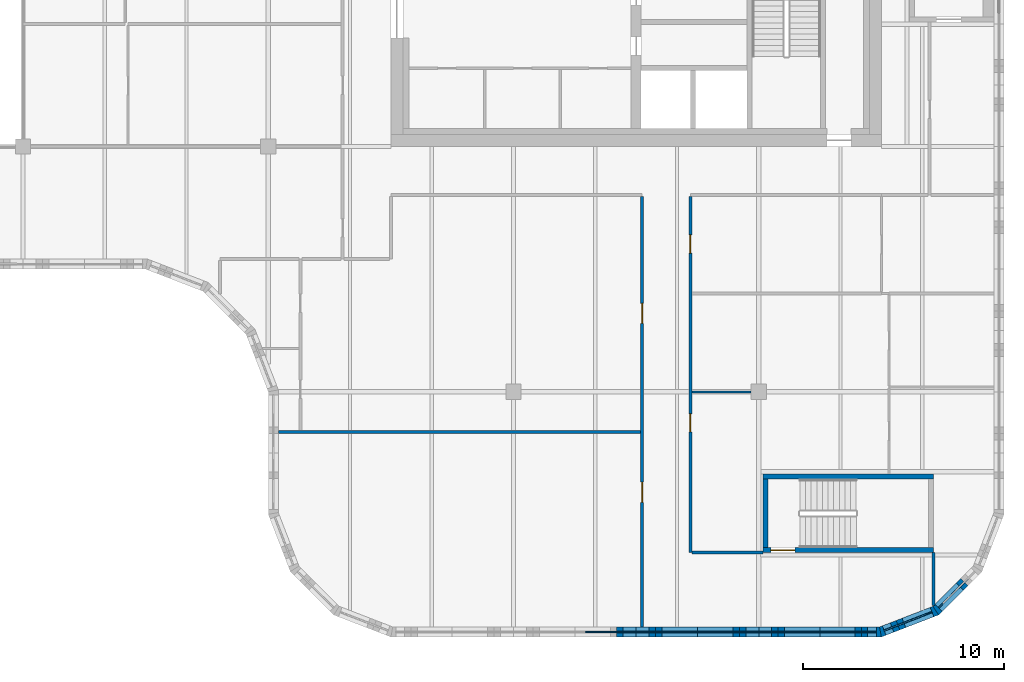
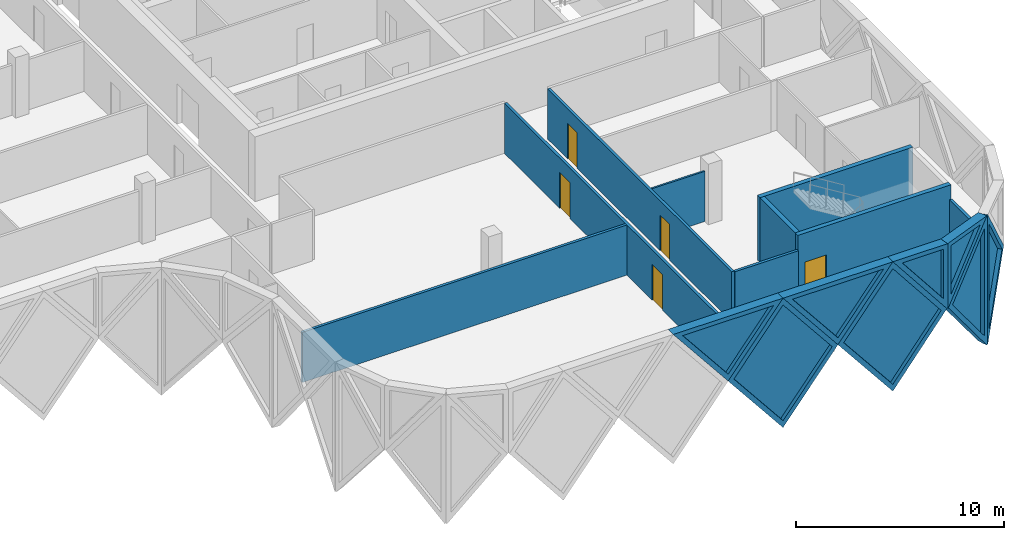
# One storey, part 6 of 15: 17 walls, 8 plates, 5 doors, 13 openings.
"""IFC4 building model written with IfcOpenShell, lengths in metres."""

from ifc_helpers import new_model, si_unit, direction, frame, frame_2d, origin, place, context, subcontext, project, spatial, polyline, rectangle, outline, extrude, faceted_brep, source, transform, mapped, material, layer, layer_set, type_object, element, fill, save


model = new_model("IFC4")

# Units and contexts
model_context = context("Model", 3, precision=1e-05, world=origin(), true_north=direction((0.0, 1.0)))
body_context = subcontext(model_context, "Body", "Model", "MODEL_VIEW")
ifc_project = project(units=[si_unit("LENGTHUNIT", "METRE"), si_unit("AREAUNIT", "SQUARE_METRE"), si_unit("VOLUMEUNIT", "CUBIC_METRE"), si_unit("PLANEANGLEUNIT", "RADIAN"), si_unit("MASSUNIT", "GRAM", prefix="KILO")], contexts=[model_context])

# Site, building, storey
site_placement = place(None, origin())
site = spatial("IfcSite", under=ifc_project, at=site_placement, CompositionType="ELEMENT")
building_placement = place(site_placement, origin())
building = spatial("IfcBuilding", under=site, at=building_placement, Name="Tessera Gate Towers", CompositionType="ELEMENT")
storey_placement = place(building_placement, frame((0.0, 0.0, 189.60009765625)))
storey = spatial("IfcBuildingStorey", under=building, at=storey_placement, Name="L47", CompositionType="ELEMENT", Elevation=189.60009765625)

# Wall, opening, door
ifc_material_1 = material(Name="Concrete C40/50", Category="concrete")
ifc_layer_1 = layer(ifc_material_1, 0.25)
ifc_layer_set_1 = layer_set([ifc_layer_1], Name="CORE ENCLOSURE WALL 250")
wall_type_1 = type_object("IfcWallType", Name="CORE ENCLOSURE WALL 250", PredefinedType="SOLIDWALL", material=ifc_layer_set_1)
wall_1_placement = place(storey_placement, frame((57.5, 4.324951171875, 0.0), z_axis=(0.0, 0.0, 1.0), x_axis=(-1.0, 0.0, 0.0)))
wall_1 = element("IfcWall", 1, at=wall_1_placement, inside=storey, type_object=wall_type_1, Name="L47 ST4 enclosure wall", PredefinedType="SOLIDWALL", context=body_context, shape_type="SweptSolid", body=[
    extrude(rectangle(XDim=8.5, YDim=0.25, at=frame_2d((4.25, 0.0))), origin(), (0.0, 0.0, 1.0), 3.7998046875),
])
shared_shape_1 = source(origin(), body_context, "Body", "SweptSolid", [
    extrude(rectangle(XDim=1.199951171875, YDim=2.10009765625, at=frame_2d((0.60009765625, 1.050048828125))), frame((0.0, 0.135009765625, 0.0), z_axis=(0.0, -1.0, 0.0), x_axis=(1.0, 0.0, 0.0)), (0.0, 0.0, 1.0), 0.27001953125),
])
opening_1_placement = place(wall_1_placement, frame((6.89990234375, 0.0, 0.0)))
opening_1 = element("IfcOpeningElement", 2, at=opening_1_placement, cuts=wall_1, Name="Opening SD-ST4-1", PredefinedType="OPENING", context=body_context, shape_type="MappedRepresentation", body=[
    mapped(shared_shape_1, transform((0.0, 0.0, 0.0), scale=1.0)),
])
ifc_material_2 = material(Name="Hollow steel fire door", Category="steel")
door_type_1 = type_object("IfcDoorType", Name="CORE DOOR SD 1200x2100", OperationType="NOTDEFINED", PredefinedType="DOOR", material=ifc_material_2)
shared_shape_2 = source(origin(), body_context, "Body", "SweptSolid", [
    extrude(rectangle(XDim=1.199951171875, YDim=2.10009765625, at=frame_2d((0.60009765625, 1.050048828125))), frame((0.0, 0.02490234375, 0.0), z_axis=(0.0, -1.0, 0.0), x_axis=(1.0, 0.0, 0.0)), (0.0, 0.0, 1.0), 0.050048828125),
])
door_1_placement = place(opening_1_placement, origin())
door_1 = element("IfcDoor", 3, at=door_1_placement, inside=storey, type_object=door_type_1, Name="Stair door", OperationType="SINGLE_SWING_RIGHT", OverallHeight=2.10009765625, OverallWidth=1.199951171875, PredefinedType="DOOR", context=body_context, shape_type="MappedRepresentation", body=[
    mapped(shared_shape_2, transform((0.0, 0.0, 0.0), scale=1.0)),
])
fill(opening_1, door_1)

# Walls
wall_2_placement = place(storey_placement, frame((49.125, 4.449951171875, 0.0), z_axis=(0.0, 0.0, 1.0), x_axis=(0.0, 1.0, 0.0)))
element("IfcWall", 4, at=wall_2_placement, inside=storey, type_object=wall_type_1, Name="L47 ST4 enclosure wall", PredefinedType="SOLIDWALL", context=body_context, shape_type="SweptSolid", body=[
    extrude(rectangle(XDim=3.400146484375, YDim=0.25, at=frame_2d((1.7001953125, 0.0))), origin(), (0.0, 0.0, 1.0), 3.7998046875),
])
wall_3_placement = place(storey_placement, frame((49.0, 7.97509765625, 0.0), z_axis=(0.0, 0.0, 1.0), x_axis=(1.0, 0.0, 0.0)))
element("IfcWall", 5, at=wall_3_placement, inside=storey, type_object=wall_type_1, Name="L47 ST4 enclosure wall", PredefinedType="SOLIDWALL", context=body_context, shape_type="SweptSolid", body=[
    extrude(rectangle(XDim=8.5, YDim=0.25, at=frame_2d((4.25, 0.0))), origin(), (0.0, 0.0, 1.0), 3.7998046875),
])

# Wall, openings, doors
ifc_material_3 = material(Name="Gypsum board on steel studs, mineral wool", Category="steel")
ifc_layer_2 = layer(ifc_material_3, 0.14990234375)
ifc_layer_set_2 = layer_set([ifc_layer_2], Name="CORRIDOR WALL 150")
wall_type_2 = type_object("IfcWallType", Name="CORRIDOR WALL 150", PredefinedType="PARTITIONING", material=ifc_layer_set_2)
wall_4_placement = place(storey_placement, frame((43.0, 0.5, 0.0), z_axis=(0.0, 0.0, 1.0), x_axis=(0.0, 1.0, 0.0)))
wall_4 = element("IfcWall", 6, at=wall_4_placement, inside=storey, type_object=wall_type_2, Name="T1-L47-PW-001", PredefinedType="PARTITIONING", context=body_context, shape_type="SweptSolid", body=[
    extrude(rectangle(XDim=21.424072265625, YDim=0.14990234375, at=frame_2d((10.7119140625, 0.0))), origin(), (0.0, 0.0, 1.0), 2.947021484375),
])
shared_shape_3 = source(origin(), body_context, "Body", "SweptSolid", [
    extrude(rectangle(XDim=1.0, YDim=2.10009765625, at=frame_2d((0.5, 1.050048828125))), frame((0.0, 0.0849609375, 0.0), z_axis=(0.0, -1.0, 0.0), x_axis=(1.0, 0.0, 0.0)), (0.0, 0.0, 1.0), 0.169921875),
])
opening_2_placement = place(wall_4_placement, frame((6.199951171875, 0.0, 0.0)))
opening_2 = element("IfcOpeningElement", 7, at=opening_2_placement, cuts=wall_4, Name="Opening D2100FD60-A17-01", PredefinedType="OPENING", context=body_context, shape_type="MappedRepresentation", body=[
    mapped(shared_shape_3, transform((0.0, 0.0, 0.0), scale=1.0)),
])
opening_3_placement = place(wall_4_placement, frame((15.10009765625, 0.0, 0.0)))
opening_3 = element("IfcOpeningElement", 8, at=opening_3_placement, cuts=wall_4, Name="Opening D2100FD60-A17-03", PredefinedType="OPENING", context=body_context, shape_type="MappedRepresentation", body=[
    mapped(shared_shape_3, transform((0.0, 0.0, 0.0), scale=1.0)),
])
ifc_material_4 = material(Name="Timber door leaf in steel frame", Category="steel")
door_type_2 = type_object("IfcDoorType", Name="TENANCY ENTRANCE DOOR 1000 FD60", OperationType="NOTDEFINED", PredefinedType="DOOR", material=ifc_material_4)
shared_shape_4 = source(origin(), body_context, "Body", "SweptSolid", [
    extrude(rectangle(XDim=1.0, YDim=2.10009765625, at=frame_2d((0.5, 1.050048828125))), frame((0.0, 0.02490234375, 0.0), z_axis=(0.0, -1.0, 0.0), x_axis=(1.0, 0.0, 0.0)), (0.0, 0.0, 1.0), 0.050048828125),
])
door_2_placement = place(opening_2_placement, origin())
door_2 = element("IfcDoor", 9, at=door_2_placement, inside=storey, type_object=door_type_2, Name="T1-L47-PD-014", OperationType="SINGLE_SWING_LEFT", OverallHeight=2.10009765625, OverallWidth=1.0, PredefinedType="DOOR", context=body_context, shape_type="MappedRepresentation", body=[
    mapped(shared_shape_4, transform((0.0, 0.0, 0.0), scale=1.0)),
])
fill(opening_2, door_2)
door_3_placement = place(opening_3_placement, origin())
door_3 = element("IfcDoor", 10, at=door_3_placement, inside=storey, type_object=door_type_2, Name="T1-L47-PD-023", OperationType="SINGLE_SWING_LEFT", OverallHeight=2.10009765625, OverallWidth=1.0, PredefinedType="DOOR", context=body_context, shape_type="MappedRepresentation", body=[
    mapped(shared_shape_4, transform((0.0, 0.0, 0.0), scale=1.0)),
])
fill(opening_3, door_3)

# Wall
wall_5_placement = place(storey_placement, frame((57.5, 1.55908203125, 0.0), z_axis=(0.0, 0.0, 1.0), x_axis=(0.0, 1.0, 0.0)))
element("IfcWall", 11, at=wall_5_placement, inside=storey, type_object=wall_type_2, Name="T1-L47-PW-002", PredefinedType="PARTITIONING", context=body_context, shape_type="SweptSolid", body=[
    extrude(rectangle(XDim=2.640869140625, YDim=0.14990234375, at=frame_2d((1.3203125, 0.0))), origin(), (0.0, 0.0, 1.0), 2.947021484375),
])

# Wall, openings, doors
wall_6_placement = place(storey_placement, frame((45.39990234375, 21.924072265625, 0.0), z_axis=(0.0, 0.0, 1.0), x_axis=(0.0, -1.0, 0.0)))
wall_6 = element("IfcWall", 12, at=wall_6_placement, inside=storey, type_object=wall_type_2, Name="T1-L47-PW-003", PredefinedType="PARTITIONING", context=body_context, shape_type="SweptSolid", body=[
    extrude(rectangle(XDim=17.72412109375, YDim=0.14990234375, at=frame_2d((8.862060546875, 0.0))), origin(), (0.0, 0.0, 1.0), 2.947021484375),
])
shared_shape_5 = source(origin(), body_context, "Body", "SweptSolid", [
    extrude(rectangle(XDim=0.89990234375, YDim=2.10009765625, at=frame_2d((0.449951171875, 1.050048828125))), frame((0.0, 0.0849609375, 0.0), z_axis=(0.0, -1.0, 0.0), x_axis=(1.0, 0.0, 0.0)), (0.0, 0.0, 1.0), 0.169921875),
])
opening_4_placement = place(wall_6_placement, frame((1.923095703125, 0.0, 0.0)))
opening_4 = element("IfcOpeningElement", 13, at=opening_4_placement, cuts=wall_6, Name="Opening D890FD60-A17-02", PredefinedType="OPENING", context=body_context, shape_type="MappedRepresentation", body=[
    mapped(shared_shape_5, transform((0.0, 0.0, 0.0), scale=1.0)),
])
opening_5_placement = place(wall_6_placement, frame((10.823974609375, 0.0, 0.0)))
opening_5 = element("IfcOpeningElement", 14, at=opening_5_placement, cuts=wall_6, Name="Opening D890FD60-A17-07", PredefinedType="OPENING", context=body_context, shape_type="MappedRepresentation", body=[
    mapped(shared_shape_5, transform((0.0, 0.0, 0.0), scale=1.0)),
])
ifc_material_5 = material(Name="Timber door leaf in steel frame", Category="steel")
door_type_3 = type_object("IfcDoorType", Name="CORRIDOR DOOR 900 FD60", OperationType="NOTDEFINED", PredefinedType="DOOR", material=ifc_material_5)
shared_shape_6 = source(origin(), body_context, "Body", "SweptSolid", [
    extrude(rectangle(XDim=0.89990234375, YDim=2.10009765625, at=frame_2d((0.449951171875, 1.050048828125))), frame((0.0, 0.02490234375, 0.0), z_axis=(0.0, -1.0, 0.0), x_axis=(1.0, 0.0, 0.0)), (0.0, 0.0, 1.0), 0.050048828125),
])
door_4_placement = place(opening_4_placement, origin())
door_4 = element("IfcDoor", 15, at=door_4_placement, inside=storey, type_object=door_type_3, Name="T1-L47-PD-009", OperationType="SINGLE_SWING_RIGHT", OverallHeight=2.10009765625, OverallWidth=0.89990234375, PredefinedType="DOOR", context=body_context, shape_type="MappedRepresentation", body=[
    mapped(shared_shape_6, transform((0.0, 0.0, 0.0), scale=1.0)),
])
fill(opening_4, door_4)
door_5_placement = place(opening_5_placement, origin())
door_5 = element("IfcDoor", 16, at=door_5_placement, inside=storey, type_object=door_type_3, Name="T1-L47-PD-025", OperationType="SINGLE_SWING_RIGHT", OverallHeight=2.10009765625, OverallWidth=0.89990234375, PredefinedType="DOOR", context=body_context, shape_type="MappedRepresentation", body=[
    mapped(shared_shape_6, transform((0.0, 0.0, 0.0), scale=1.0)),
])
fill(opening_5, door_5)

# Walls
wall_7_placement = place(storey_placement, frame((45.47607421875, 4.199951171875, 0.0), z_axis=(0.0, 0.0, 1.0), x_axis=(1.0, 0.0, 0.0)))
element("IfcWall", 17, at=wall_7_placement, inside=storey, type_object=wall_type_2, Name="T1-L47-PW-004", PredefinedType="PARTITIONING", context=body_context, shape_type="SweptSolid", body=[
    extrude(rectangle(XDim=3.52392578125, YDim=0.14990234375, at=frame_2d((1.761962890625, 0.0))), origin(), (0.0, 0.0, 1.0), 2.947021484375),
])
ifc_material_6 = material(Name="Gypsum board on steel studs", Category="steel")
ifc_layer_3 = layer(ifc_material_6, 0.10009765625)
ifc_layer_set_3 = layer_set([ifc_layer_3], Name="PARTITION 100")
wall_type_3 = type_object("IfcWallType", Name="PARTITION 100", PredefinedType="PARTITIONING", material=ifc_layer_set_3)
wall_8_placement = place(storey_placement, frame((48.425048828125, 12.199951171875, 0.0), z_axis=(0.0, 0.0, 1.0), x_axis=(-1.0, 0.0, 0.0)))
element("IfcWall", 18, at=wall_8_placement, inside=storey, type_object=wall_type_3, Name="T1-L47-PW-008", PredefinedType="PARTITIONING", context=body_context, shape_type="SweptSolid", body=[
    extrude(rectangle(XDim=2.949951171875, YDim=0.10009765625, at=frame_2d((1.47509765625, 0.0))), origin(), (0.0, 0.0, 1.0), 2.947021484375),
])
ifc_material_7 = material(Name="Gypsum board on steel studs, mineral wool", Category="steel")
ifc_layer_4 = layer(ifc_material_7, 0.14990234375)
ifc_layer_set_4 = layer_set([ifc_layer_4], Name="TENANCY WALL 150")
wall_type_4 = type_object("IfcWallType", Name="TENANCY WALL 150", PredefinedType="PARTITIONING", material=ifc_layer_set_4)
wall_9_placement = place(storey_placement, frame((24.89990234375, 10.199951171875, 0.0), z_axis=(0.0, 0.0, 1.0), x_axis=(1.0, 0.0, 0.0)))
element("IfcWall", 19, at=wall_9_placement, inside=storey, type_object=wall_type_4, Name="T1-L47-PW-006", PredefinedType="PARTITIONING", context=body_context, shape_type="SweptSolid", body=[
    extrude(rectangle(XDim=18.024169921875, YDim=0.14990234375, at=frame_2d((9.01220703125, 0.0))), origin(), (0.0, 0.0, 1.0), 2.947021484375),
])

# Wall, opening, plate
ifc_material_8 = material(Name="Precast concrete C60/75 white", Category="concrete")
ifc_layer_5 = layer(ifc_material_8, 0.5)
ifc_layer_set_5 = layer_set([ifc_layer_5], Name="TS1 tessera")
wall_type_5 = type_object("IfcWallType", Name="TS1 tessera", PredefinedType="SOLIDWALL", material=ifc_layer_set_5)
shared_shape_7 = source(origin(), body_context, "Body", "SweptSolid", [
    extrude(outline(polyline([(3.050048828125, 0.0), (6.10009765625, 3.800048828125), (3.050048828125, 7.599853515625), (0.0, 3.800048828125), (3.050048828125, 0.0)])), frame((0.0, 0.25, 0.0), z_axis=(0.0, -1.0, 0.0), x_axis=(1.0, 0.0, 0.0)), (0.0, 0.0, 1.0), 0.5),
])
wall_10_placement = place(storey_placement, frame((42.699951171875, 0.25, -3.800048828125), z_axis=(0.0, 0.0, 1.0), x_axis=(1.0, 0.0, 0.0)))
wall_10 = element("IfcWall", 20, at=wall_10_placement, inside=storey, type_object=wall_type_5, Name="Precast tessera T1 TS1-0830", PredefinedType="SOLIDWALL", context=body_context, shape_type="MappedRepresentation", body=[
    mapped(shared_shape_7, transform((0.0, 0.0, 0.0), scale=1.0)),
])
shared_shape_8 = source(origin(), body_context, "Body", "SweptSolid", [
    extrude(outline(polyline([(3.050048828125, 0.3994140625), (5.779541015625, 3.800048828125), (3.050048828125, 7.200439453125), (0.320556640625, 3.800048828125), (3.050048828125, 0.3994140625)])), frame((0.0, 0.260009765625, 0.0), z_axis=(0.0, -1.0, 0.0), x_axis=(1.0, 0.0, 0.0)), (0.0, 0.0, 1.0), 0.52001953125),
])
opening_6_placement = place(wall_10_placement, origin())
opening_6 = element("IfcOpeningElement", 21, at=opening_6_placement, cuts=wall_10, Name="Opening T1-PL2-1694", PredefinedType="OPENING", context=body_context, shape_type="MappedRepresentation", body=[
    mapped(shared_shape_8, transform((0.0, 0.0, 0.0), scale=1.0)),
])
ifc_material_9 = material(Name="Low-e laminated glass", Category="glass")
ifc_layer_6 = layer(ifc_material_9, 0.06005859375)
ifc_layer_set_6 = layer_set([ifc_layer_6], Name="PL2 rhombic pane")
plate_type_1 = type_object("IfcPlateType", Name="PL2 rhombic pane", PredefinedType="SHEET", material=ifc_layer_set_6)
shared_shape_9 = source(origin(), body_context, "Body", "SweptSolid", [
    extrude(outline(polyline([(3.050048828125, 0.3994140625), (5.779541015625, 3.800048828125), (3.050048828125, 7.200439453125), (0.320556640625, 3.800048828125), (3.050048828125, 0.3994140625)])), frame((0.0, 0.030029296875, 0.0), z_axis=(0.0, -1.0, 0.0), x_axis=(1.0, 0.0, 0.0)), (0.0, 0.0, 1.0), 0.06005859375),
])
plate_1_placement = place(opening_6_placement, origin())
plate_1 = element("IfcPlate", 22, at=plate_1_placement, inside=storey, type_object=plate_type_1, Name="Glass pane T1 PL2-1694", PredefinedType="SHEET", context=body_context, shape_type="MappedRepresentation", body=[
    mapped(shared_shape_9, transform((0.0, 0.0, 0.0), scale=1.0)),
])
fill(opening_6, plate_1)

shared_shape_10 = source(origin(), body_context, "Body", "Brep", [
    faceted_brep([(3.050048828125, -0.25, 0.0), (6.053466796875, -0.25, 3.800048828125), (3.050048828125, -0.25, 7.599853515625), (0.0, -0.25, 3.800048828125), (0.0, 0.25, 3.800048828125), (3.050048828125, 0.25, 7.599853515625), (6.0068359375, 0.25, 3.85888671875), (6.0068359375, 0.25, 3.7412109375), (3.050048828125, 0.25, 0.0), (6.053466796875, 0.0, 3.800048828125)], [[[0, 1, 2, 3]], [[4, 5, 6, 7, 8]], [[8, 7, 9, 1, 0]], [[6, 5, 2, 1, 9]], [[5, 4, 3, 2]], [[4, 8, 0, 3]], [[7, 6, 9]]]),
])
wall_11_placement = place(storey_placement, frame((48.800048828125, 0.25, -3.800048828125), z_axis=(0.0, 0.0, 1.0), x_axis=(1.0, 0.0, 0.0)))
wall_11 = element("IfcWall", 23, at=wall_11_placement, inside=storey, type_object=wall_type_5, Name="Precast tessera T1 TS1-0831", PredefinedType="SOLIDWALL", context=body_context, shape_type="MappedRepresentation", body=[
    mapped(shared_shape_10, transform((0.0, 0.0, 0.0), scale=1.0)),
])
shared_shape_11 = source(origin(), body_context, "Body", "SweptSolid", [
    extrude(outline(polyline([(3.048583984375, 0.401123046875), (5.73486328125, 3.800048828125), (3.048583984375, 7.19873046875), (0.320556640625, 3.800048828125), (3.048583984375, 0.401123046875)])), frame((0.0, 0.260009765625, 0.0), z_axis=(0.0, -1.0, 0.0), x_axis=(1.0, 0.0, 0.0)), (0.0, 0.0, 1.0), 0.52001953125),
])
opening_7_placement = place(wall_11_placement, origin())
opening_7 = element("IfcOpeningElement", 24, at=opening_7_placement, cuts=wall_11, Name="Opening T1-PL2-1695", PredefinedType="OPENING", context=body_context, shape_type="MappedRepresentation", body=[
    mapped(shared_shape_11, transform((0.0, 0.0, 0.0), scale=1.0)),
])
shared_shape_12 = source(origin(), body_context, "Body", "SweptSolid", [
    extrude(outline(polyline([(3.048583984375, 0.401123046875), (5.73486328125, 3.800048828125), (3.048583984375, 7.19873046875), (0.320556640625, 3.800048828125), (3.048583984375, 0.401123046875)])), frame((0.0, 0.030029296875, 0.0), z_axis=(0.0, -1.0, 0.0), x_axis=(1.0, 0.0, 0.0)), (0.0, 0.0, 1.0), 0.06005859375),
])
plate_2_placement = place(opening_7_placement, origin())
plate_2 = element("IfcPlate", 25, at=plate_2_placement, inside=storey, type_object=plate_type_1, Name="Glass pane T1 PL2-1695", PredefinedType="SHEET", context=body_context, shape_type="MappedRepresentation", body=[
    mapped(shared_shape_12, transform((0.0, 0.0, 0.0), scale=1.0)),
])
fill(opening_7, plate_2)

ifc_material_10 = material(Name="Precast concrete C60/75 white", Category="concrete")
ifc_layer_7 = layer(ifc_material_10, 0.5)
ifc_layer_set_7 = layer_set([ifc_layer_7], Name="TS3 corner tessera")
wall_type_6 = type_object("IfcWallType", Name="TS3 corner tessera", PredefinedType="SOLIDWALL", material=ifc_layer_set_7)
shared_shape_13 = source(origin(), body_context, "Body", "Brep", [
    faceted_brep([(2.950439453125, -0.25, 0.0), (3.00341796875, -0.25, 0.068359375), (3.00341796875, -0.25, 7.531494140625), (2.950439453125, -0.25, 7.599853515625), (0.0, -0.25, 3.800048828125), (0.046630859375, 0.25, 3.860107421875), (2.897705078125, 0.25, 7.53173828125), (2.897705078125, 0.25, 0.068115234375), (0.046630859375, 0.25, 3.739990234375), (2.950439453125, 0.00048828125, 0.0), (2.950439453125, 0.00048828125, 7.599853515625), (0.0, 0.0, 3.800048828125)], [[[0, 1, 2, 3, 4]], [[5, 6, 7, 8]], [[1, 0, 9]], [[10, 3, 2]], [[6, 5, 11, 4, 3, 10]], [[8, 7, 9, 0, 4, 11]], [[8, 11, 5]], [[1, 9, 7, 6, 10, 2]]]),
])
wall_12_placement = place(storey_placement, frame((54.853515625, 0.25, -3.800048828125), z_axis=(0.0, 0.0, 1.0), x_axis=(0.932970071518, 0.359953949349, 0.0)))
wall_12 = element("IfcWall", 26, at=wall_12_placement, inside=storey, type_object=wall_type_6, Name="Precast corner tessera T1 TS3-1081", PredefinedType="SOLIDWALL", context=body_context, shape_type="MappedRepresentation", body=[
    mapped(shared_shape_13, transform((0.0, 0.0, 0.0), scale=1.0)),
])
shared_shape_14 = source(origin(), body_context, "Body", "SweptSolid", [
    extrude(outline(polyline([(2.75048828125, 6.934814453125), (0.31640625, 3.800048828125), (2.75048828125, 0.665283203125), (2.75048828125, 6.934814453125)])), frame((0.0, 0.260009765625, 0.0), z_axis=(0.0, -1.0, 0.0), x_axis=(1.0, 0.0, 0.0)), (0.0, 0.0, 1.0), 0.52001953125),
])
opening_8_placement = place(wall_12_placement, origin())
opening_8 = element("IfcOpeningElement", 27, at=opening_8_placement, cuts=wall_12, Name="Opening T1-PL2-1696", PredefinedType="OPENING", context=body_context, shape_type="MappedRepresentation", body=[
    mapped(shared_shape_14, transform((0.0, 0.0, 0.0), scale=1.0)),
])
shared_shape_15 = source(origin(), body_context, "Body", "SweptSolid", [
    extrude(outline(polyline([(2.75048828125, 6.934814453125), (0.31640625, 3.800048828125), (2.75048828125, 0.665283203125), (2.75048828125, 6.934814453125)])), frame((0.0, 0.030029296875, 0.0), z_axis=(0.0, -1.0, 0.0), x_axis=(1.0, 0.0, 0.0)), (0.0, 0.0, 1.0), 0.06005859375),
])
plate_3_placement = place(opening_8_placement, origin())
plate_3 = element("IfcPlate", 28, at=plate_3_placement, inside=storey, type_object=plate_type_1, Name="Glass pane T1 PL2-1696", PredefinedType="SHEET", context=body_context, shape_type="MappedRepresentation", body=[
    mapped(shared_shape_15, transform((0.0, 0.0, 0.0), scale=1.0)),
])
fill(opening_8, plate_3)

shared_shape_16 = source(origin(), body_context, "Body", "Brep", [
    faceted_brep([(0.052978515625, -0.25, 0.0), (2.9970703125, -0.25, 3.800048828125), (0.052978515625, -0.25, 7.599853515625), (0.0, -0.25, 7.53173828125), (0.0, -0.25, 0.068115234375), (0.10595703125, 0.25, 7.531494140625), (2.944091796875, 0.25, 3.8681640625), (2.944091796875, 0.25, 3.73193359375), (0.10595703125, 0.25, 0.068359375), (2.9970703125, 0.000244140625, 3.800048828125), (0.052978515625, 0.0, 0.0), (0.052978515625, 0.0, 7.599853515625)], [[[0, 1, 2, 3, 4]], [[5, 6, 7, 8]], [[8, 7, 9, 1, 0, 10]], [[6, 5, 11, 2, 1, 9]], [[3, 2, 11]], [[10, 0, 4]], [[8, 10, 4, 3, 11, 5]], [[7, 6, 9]]]),
])
wall_13_placement = place(storey_placement, frame((57.56884765625, 1.2744140625, -3.800048828125), z_axis=(0.0, 0.0, 1.0), x_axis=(0.707066050402, 0.707147509625, 0.0)))
wall_13 = element("IfcWall", 29, at=wall_13_placement, inside=storey, type_object=wall_type_6, Name="Precast corner tessera T1 TS3-1082", PredefinedType="SOLIDWALL", context=body_context, shape_type="MappedRepresentation", body=[
    mapped(shared_shape_16, transform((0.0, 0.0, 0.0), scale=1.0)),
])
shared_shape_17 = source(origin(), body_context, "Body", "SweptSolid", [
    extrude(outline(polyline([(0.2529296875, 0.666259765625), (2.680908203125, 3.800048828125), (0.2529296875, 6.93359375), (0.2529296875, 0.666259765625)])), frame((0.0, 0.260009765625, 0.0), z_axis=(0.0, -1.0, 0.0), x_axis=(1.0, 0.0, 0.0)), (0.0, 0.0, 1.0), 0.52001953125),
])
opening_9_placement = place(wall_13_placement, origin())
opening_9 = element("IfcOpeningElement", 30, at=opening_9_placement, cuts=wall_13, Name="Opening T1-PL2-1697", PredefinedType="OPENING", context=body_context, shape_type="MappedRepresentation", body=[
    mapped(shared_shape_17, transform((0.0, 0.0, 0.0), scale=1.0)),
])
shared_shape_18 = source(origin(), body_context, "Body", "SweptSolid", [
    extrude(outline(polyline([(0.2529296875, 0.666259765625), (2.680908203125, 3.800048828125), (0.2529296875, 6.93359375), (0.2529296875, 0.666259765625)])), frame((0.0, 0.030029296875, 0.0), z_axis=(0.0, -1.0, 0.0), x_axis=(1.0, 0.0, 0.0)), (0.0, 0.0, 1.0), 0.06005859375),
])
plate_4_placement = place(opening_9_placement, origin())
plate_4 = element("IfcPlate", 31, at=plate_4_placement, inside=storey, type_object=plate_type_1, Name="Glass pane T1 PL2-1697", PredefinedType="SHEET", context=body_context, shape_type="MappedRepresentation", body=[
    mapped(shared_shape_18, transform((0.0, 0.0, 0.0), scale=1.0)),
])
fill(opening_9, plate_4)

ifc_material_11 = material(Name="Precast concrete C60/75 white", Category="concrete")
ifc_layer_8 = layer(ifc_material_11, 0.5)
ifc_layer_set_8 = layer_set([ifc_layer_8], Name="TS2 half tessera")
wall_type_7 = type_object("IfcWallType", Name="TS2 half tessera", PredefinedType="SOLIDWALL", material=ifc_layer_set_8)
shared_shape_19 = source(origin(), body_context, "Body", "SweptSolid", [
    extrude(outline(polyline([(3.050048828125, 0.0), (6.10009765625, 3.7998046875), (0.0, 3.7998046875), (3.050048828125, 0.0)])), frame((0.0, 0.25, 0.0), z_axis=(0.0, -1.0, 0.0), x_axis=(1.0, 0.0, 0.0)), (0.0, 0.0, 1.0), 0.5),
])
wall_14_placement = place(storey_placement, frame((39.64990234375, 0.25, 0.0), z_axis=(0.0, 0.0, 1.0), x_axis=(1.0, 0.0, 0.0)))
wall_14 = element("IfcWall", 32, at=wall_14_placement, inside=storey, type_object=wall_type_7, Name="Precast half tessera T1 TS2-0208", PredefinedType="SOLIDWALL", context=body_context, shape_type="MappedRepresentation", body=[
    mapped(shared_shape_19, transform((0.0, 0.0, 0.0), scale=1.0)),
])
shared_shape_20 = source(origin(), body_context, "Body", "SweptSolid", [
    extrude(outline(polyline([(3.050048828125, 0.3994140625), (5.578857421875, 3.5498046875), (0.521240234375, 3.5498046875), (3.050048828125, 0.3994140625)])), frame((0.0, 0.260009765625, 0.0), z_axis=(0.0, -1.0, 0.0), x_axis=(1.0, 0.0, 0.0)), (0.0, 0.0, 1.0), 0.52001953125),
])
opening_10_placement = place(wall_14_placement, origin())
opening_10 = element("IfcOpeningElement", 33, at=opening_10_placement, cuts=wall_14, Name="Opening T1-PL1-0426", PredefinedType="OPENING", context=body_context, shape_type="MappedRepresentation", body=[
    mapped(shared_shape_20, transform((0.0, 0.0, 0.0), scale=1.0)),
])
ifc_material_12 = material(Name="Low-e laminated glass", Category="glass")
ifc_layer_9 = layer(ifc_material_12, 0.06005859375)
ifc_layer_set_9 = layer_set([ifc_layer_9], Name="PL1 triangular pane")
plate_type_2 = type_object("IfcPlateType", Name="PL1 triangular pane", PredefinedType="SHEET", material=ifc_layer_set_9)
shared_shape_21 = source(origin(), body_context, "Body", "SweptSolid", [
    extrude(outline(polyline([(3.050048828125, 0.3994140625), (5.578857421875, 3.5498046875), (0.521240234375, 3.5498046875), (3.050048828125, 0.3994140625)])), frame((0.0, 0.030029296875, 0.0), z_axis=(0.0, -1.0, 0.0), x_axis=(1.0, 0.0, 0.0)), (0.0, 0.0, 1.0), 0.06005859375),
])
plate_5_placement = place(opening_10_placement, origin())
plate_5 = element("IfcPlate", 34, at=plate_5_placement, inside=storey, type_object=plate_type_2, Name="Glass pane T1 PL1-0426", PredefinedType="SHEET", context=body_context, shape_type="MappedRepresentation", body=[
    mapped(shared_shape_21, transform((0.0, 0.0, 0.0), scale=1.0)),
])
fill(opening_10, plate_5)

wall_15_placement = place(storey_placement, frame((45.75, 0.25, 0.0), z_axis=(0.0, 0.0, 1.0), x_axis=(1.0, 0.0, 0.0)))
wall_15 = element("IfcWall", 35, at=wall_15_placement, inside=storey, type_object=wall_type_7, Name="Precast half tessera T1 TS2-0209", PredefinedType="SOLIDWALL", context=body_context, shape_type="MappedRepresentation", body=[
    mapped(shared_shape_19, transform((0.0, 0.0, 0.0), scale=1.0)),
])
opening_11_placement = place(wall_15_placement, origin())
opening_11 = element("IfcOpeningElement", 36, at=opening_11_placement, cuts=wall_15, Name="Opening T1-PL1-0427", PredefinedType="OPENING", context=body_context, shape_type="MappedRepresentation", body=[
    mapped(shared_shape_20, transform((0.0, 0.0, 0.0), scale=1.0)),
])
plate_6_placement = place(opening_11_placement, origin())
plate_6 = element("IfcPlate", 37, at=plate_6_placement, inside=storey, type_object=plate_type_2, Name="Glass pane T1 PL1-0427", PredefinedType="SHEET", context=body_context, shape_type="MappedRepresentation", body=[
    mapped(shared_shape_21, transform((0.0, 0.0, 0.0), scale=1.0)),
])
fill(opening_11, plate_6)

shared_shape_22 = source(origin(), body_context, "Body", "Brep", [
    faceted_brep([(3.00341796875, -0.25, 0.0), (3.050048828125, -0.25, 0.06005859375), (3.050048828125, -0.25, 3.7998046875), (0.0, -0.25, 3.7998046875), (0.0, 0.25, 3.7998046875), (2.956787109375, 0.25, 3.7998046875), (2.956787109375, 0.25, 0.058837890625), (3.00341796875, 0.000244140625, 0.0)], [[[0, 1, 2, 3]], [[4, 5, 6]], [[1, 0, 7]], [[5, 4, 3, 2]], [[4, 6, 7, 0, 3]], [[1, 7, 6, 5, 2]]]),
])
wall_16_placement = place(storey_placement, frame((51.85009765625, 0.25, 0.0), z_axis=(0.0, 0.0, 1.0), x_axis=(1.0, 0.0, 0.0)))
wall_16 = element("IfcWall", 38, at=wall_16_placement, inside=storey, type_object=wall_type_6, Name="Precast corner tessera T1 TS3-1107", PredefinedType="SOLIDWALL", context=body_context, shape_type="MappedRepresentation", body=[
    mapped(shared_shape_22, transform((0.0, 0.0, 0.0), scale=1.0)),
])
shared_shape_23 = source(origin(), body_context, "Body", "SweptSolid", [
    extrude(outline(polyline([(2.803466796875, 3.5498046875), (0.516357421875, 3.5498046875), (2.803466796875, 0.656005859375), (2.803466796875, 3.5498046875)])), frame((0.0, 0.260009765625, 0.0), z_axis=(0.0, -1.0, 0.0), x_axis=(1.0, 0.0, 0.0)), (0.0, 0.0, 1.0), 0.52001953125),
])
opening_12_placement = place(wall_16_placement, origin())
opening_12 = element("IfcOpeningElement", 39, at=opening_12_placement, cuts=wall_16, Name="Opening T1-PL1-0428", PredefinedType="OPENING", context=body_context, shape_type="MappedRepresentation", body=[
    mapped(shared_shape_23, transform((0.0, 0.0, 0.0), scale=1.0)),
])
shared_shape_24 = source(origin(), body_context, "Body", "SweptSolid", [
    extrude(outline(polyline([(2.803466796875, 3.5498046875), (0.516357421875, 3.5498046875), (2.803466796875, 0.656005859375), (2.803466796875, 3.5498046875)])), frame((0.0, 0.030029296875, 0.0), z_axis=(0.0, -1.0, 0.0), x_axis=(1.0, 0.0, 0.0)), (0.0, 0.0, 1.0), 0.06005859375),
])
plate_7_placement = place(opening_12_placement, origin())
plate_7 = element("IfcPlate", 40, at=plate_7_placement, inside=storey, type_object=plate_type_2, Name="Glass pane T1 PL1-0428", PredefinedType="SHEET", context=body_context, shape_type="MappedRepresentation", body=[
    mapped(shared_shape_24, transform((0.0, 0.0, 0.0), scale=1.0)),
])
fill(opening_12, plate_7)

shared_shape_25 = source(origin(), body_context, "Body", "Brep", [
    faceted_brep([(0.046630859375, -0.25, 0.0), (2.9970703125, -0.25, 3.7998046875), (0.0, -0.25, 3.7998046875), (0.0, -0.25, 0.058837890625), (0.09326171875, 0.25, 3.7998046875), (2.9443359375, 0.25, 3.7998046875), (2.9443359375, 0.25, 3.731689453125), (0.09326171875, 0.25, 0.06005859375), (2.9970703125, 0.00048828125, 3.7998046875), (0.046630859375, 0.0, 0.0)], [[[0, 1, 2, 3]], [[4, 5, 6, 7]], [[7, 6, 8, 1, 0, 9]], [[5, 4, 2, 1, 8]], [[9, 0, 3]], [[7, 9, 3, 2, 4]], [[6, 5, 8]]]),
])
wall_17_placement = place(storey_placement, frame((54.81005859375, 0.233154296875, 0.0), z_axis=(0.0, 0.0, 1.0), x_axis=(0.932990326376, 0.359901446078, 0.0)))
wall_17 = element("IfcWall", 41, at=wall_17_placement, inside=storey, type_object=wall_type_6, Name="Precast corner tessera T1 TS3-1108", PredefinedType="SOLIDWALL", context=body_context, shape_type="MappedRepresentation", body=[
    mapped(shared_shape_25, transform((0.0, 0.0, 0.0), scale=1.0)),
])
shared_shape_26 = source(origin(), body_context, "Body", "SweptSolid", [
    extrude(outline(polyline([(0.24658203125, 0.6650390625), (2.486572265625, 3.5498046875), (0.24658203125, 3.5498046875), (0.24658203125, 0.6650390625)])), frame((0.0, 0.260009765625, 0.0), z_axis=(0.0, -1.0, 0.0), x_axis=(1.0, 0.0, 0.0)), (0.0, 0.0, 1.0), 0.52001953125),
])
opening_13_placement = place(wall_17_placement, origin())
opening_13 = element("IfcOpeningElement", 42, at=opening_13_placement, cuts=wall_17, Name="Opening T1-PL1-0429", PredefinedType="OPENING", context=body_context, shape_type="MappedRepresentation", body=[
    mapped(shared_shape_26, transform((0.0, 0.0, 0.0), scale=1.0)),
])
shared_shape_27 = source(origin(), body_context, "Body", "SweptSolid", [
    extrude(outline(polyline([(0.24658203125, 0.6650390625), (2.486572265625, 3.5498046875), (0.24658203125, 3.5498046875), (0.24658203125, 0.6650390625)])), frame((0.0, 0.030029296875, 0.0), z_axis=(0.0, -1.0, 0.0), x_axis=(1.0, 0.0, 0.0)), (0.0, 0.0, 1.0), 0.06005859375),
])
plate_8_placement = place(opening_13_placement, origin())
plate_8 = element("IfcPlate", 43, at=plate_8_placement, inside=storey, type_object=plate_type_2, Name="Glass pane T1 PL1-0429", PredefinedType="SHEET", context=body_context, shape_type="MappedRepresentation", body=[
    mapped(shared_shape_27, transform((0.0, 0.0, 0.0), scale=1.0)),
])
fill(opening_13, plate_8)

save(model, "model.ifc")
